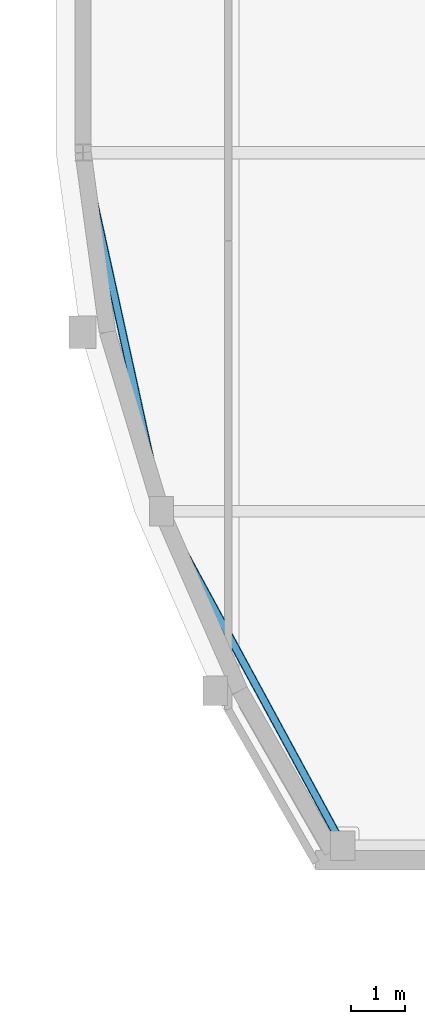
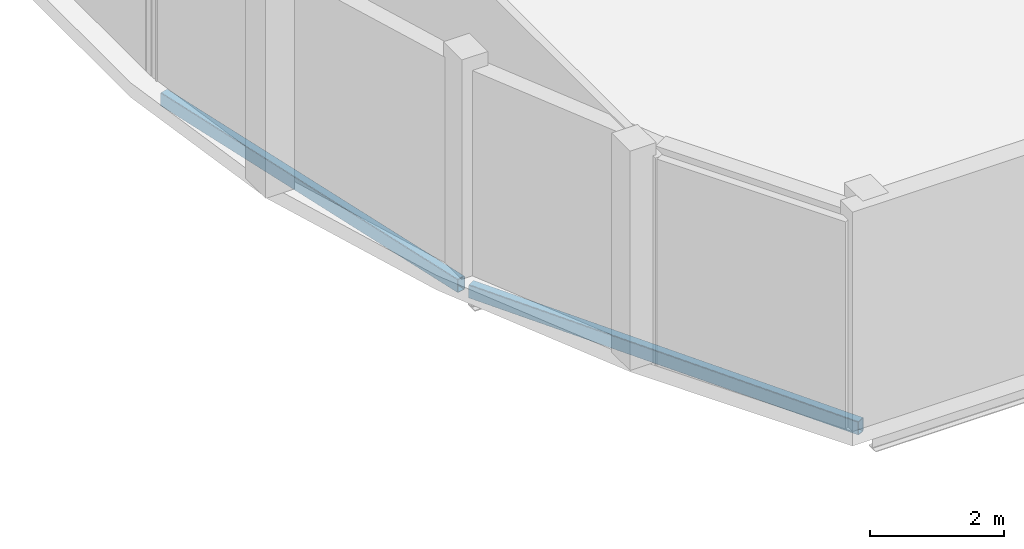
# One storey, part 38 of 105: 2 beams.
"""IFC4 building model written with IfcOpenShell, lengths in metres."""

from ifc_helpers import new_model, si_unit, direction, frame, origin, origin_2d, place, context, subcontext, project, spatial, hollow_rectangle, extrude, material, material_profile, profile_set, type_object, element, save


model = new_model("IFC4")

# Units and contexts
model_context = context("Model", 3, precision=1e-05, world=origin(), true_north=direction((0.0, 1.0)))
body_context = subcontext(model_context, "Body", "Model", "MODEL_VIEW")
ifc_project = project(units=[si_unit("LENGTHUNIT", "METRE"), si_unit("AREAUNIT", "SQUARE_METRE"), si_unit("VOLUMEUNIT", "CUBIC_METRE"), si_unit("PLANEANGLEUNIT", "RADIAN"), si_unit("MASSUNIT", "GRAM", prefix="KILO")], contexts=[model_context])

# Site, building, storey
site_placement = place(None, origin())
site = spatial("IfcSite", under=ifc_project, at=site_placement, CompositionType="ELEMENT")
building_placement = place(site_placement, origin())
building = spatial("IfcBuilding", under=site, at=building_placement, Name="Kelanivale Promenade Academy", CompositionType="ELEMENT")
storey_placement = place(building_placement, frame((0.0, 0.0, 4.199951171875)))
storey = spatial("IfcBuildingStorey", under=building, at=storey_placement, Name="L01", CompositionType="ELEMENT", Elevation=4.199951171875)

# Beams
ifc_material = material(Name="Steel S355", Category="steel")
ifc_material_profile = material_profile(ifc_material, hollow_rectangle(XDim=0.14990234375, YDim=0.25, WallThickness=0.010009765625, InnerFilletRadius=0.010009765625, OuterFilletRadius=0.02001953125, at=origin_2d()), Name="RHS 250x150x10.0")
ifc_profile_set = profile_set([ifc_material_profile], Name="Steel S355")
beam_type = type_object("IfcBeamType", Name="SB-13 RHS 250x150x10.0", PredefinedType="SPANDREL", material=ifc_profile_set)
beam_1_placement = place(storey_placement, frame((128.10205078125, 33.5380859375, -0.389892578125), z_axis=(-0.476573382947, 0.879134694268, 0.0), x_axis=(-0.879134694268, -0.476573382947, 0.0)))
element("IfcBeam", 1, at=beam_1_placement, inside=storey, type_object=beam_type, Name="Assembly Hall Arc Pavilion inner kidney ring beam SB-13", PredefinedType="SPANDREL", context=body_context, shape_type="SweptSolid", body=[
    extrude(hollow_rectangle(XDim=0.14990234375, YDim=0.25, WallThickness=0.010009765625, InnerFilletRadius=0.010009765625, OuterFilletRadius=0.02001953125, at=origin_2d()), origin(), (0.0, 0.0, 1.0), 6.828125),
])
beam_2_placement = place(storey_placement, frame((124.779052734375, 39.72705078125, -0.389892578125), z_axis=(-0.213839528573, 0.976868801846, 0.0), x_axis=(-0.976868801846, -0.213839528573, 0.0)))
element("IfcBeam", 2, at=beam_2_placement, inside=storey, type_object=beam_type, Name="Assembly Hall Arc Pavilion inner kidney ring beam SB-13", PredefinedType="SPANDREL", context=body_context, shape_type="SweptSolid", body=[
    extrude(hollow_rectangle(XDim=0.14990234375, YDim=0.25, WallThickness=0.010009765625, InnerFilletRadius=0.010009765625, OuterFilletRadius=0.02001953125, at=origin_2d()), origin(), (0.0, 0.0, 1.0), 6.584228515625),
])

save(model, "model.ifc")
